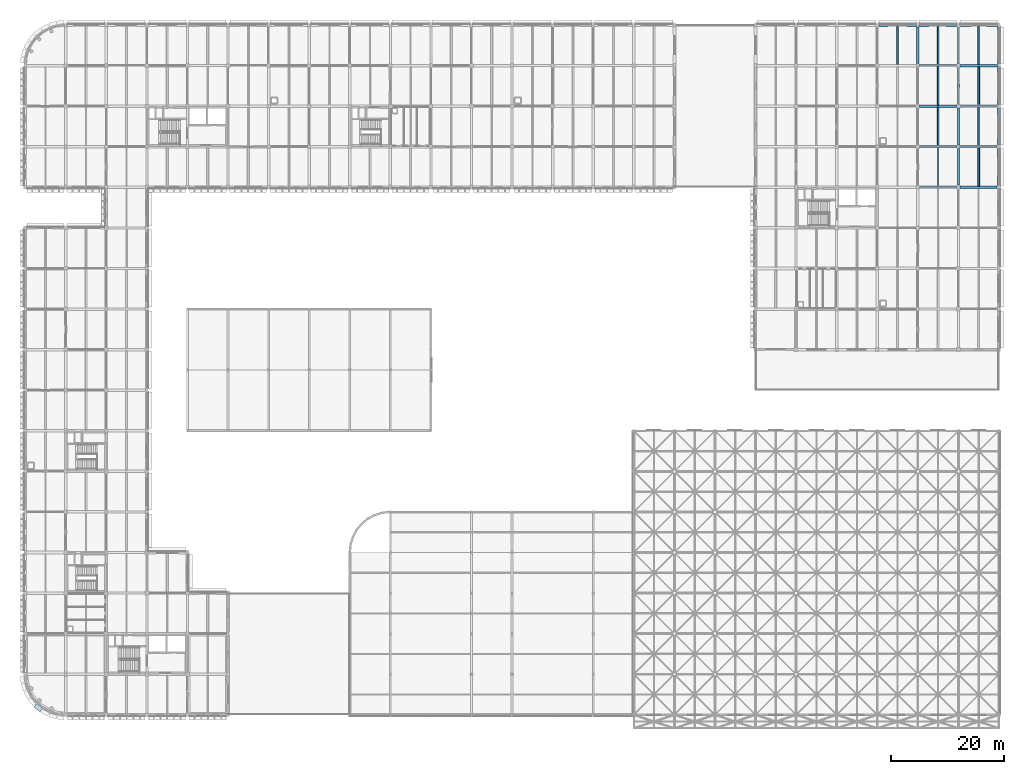
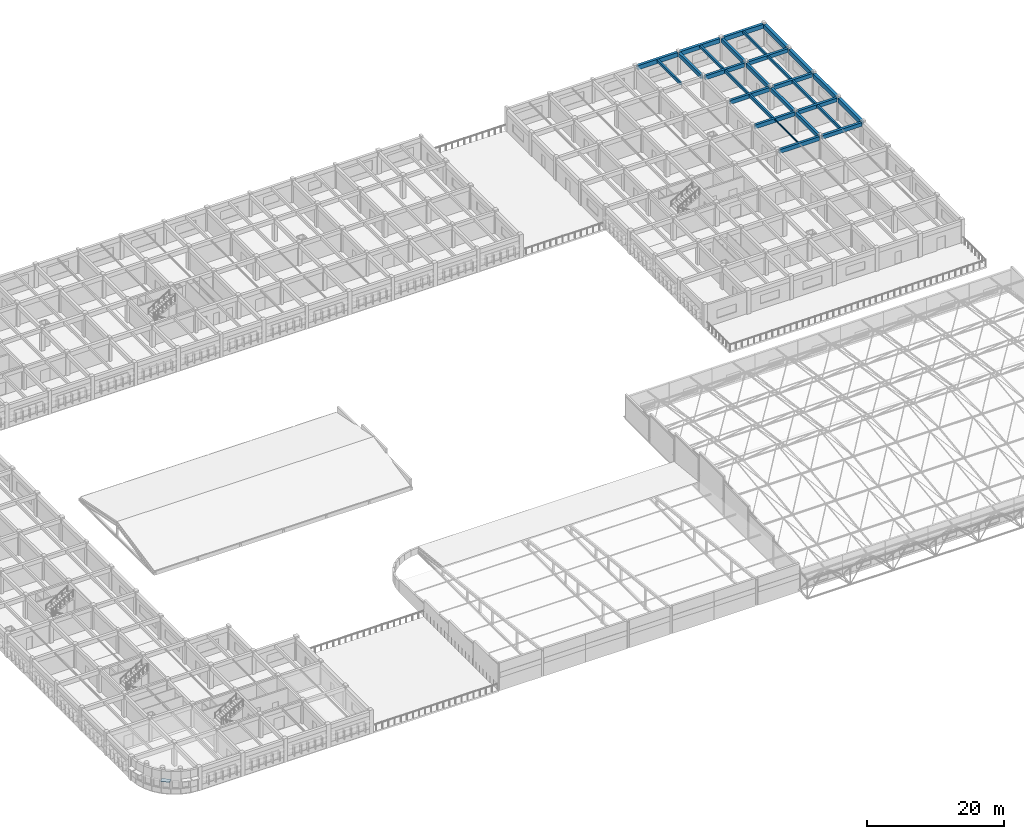
# One storey, part 65 of 103: 29 beams, 1 plate.
"""IFC4 building model written with IfcOpenShell, lengths in metres."""

from ifc_helpers import new_model, si_unit, direction, frame, origin, origin_2d, place, context, subcontext, project, spatial, rectangle, i_section, extrude, material, layer, layer_set, material_profile, profile_set, type_object, element, save


model = new_model("IFC4")

# Units and contexts
model_context = context("Model", 3, precision=1e-05, world=origin(), true_north=direction((0.0, 1.0)))
body_context = subcontext(model_context, "Body", "Model", "MODEL_VIEW")
ifc_project = project(units=[si_unit("LENGTHUNIT", "METRE"), si_unit("AREAUNIT", "SQUARE_METRE"), si_unit("VOLUMEUNIT", "CUBIC_METRE"), si_unit("PLANEANGLEUNIT", "RADIAN"), si_unit("MASSUNIT", "GRAM", prefix="KILO")], contexts=[model_context])

# Site, building, storey
site_placement = place(None, origin())
site = spatial("IfcSite", under=ifc_project, at=site_placement, CompositionType="ELEMENT")
building_placement = place(site_placement, origin())
building = spatial("IfcBuilding", under=site, at=building_placement, Name="Thalmaran Polytechnic", CompositionType="ELEMENT")
storey_placement = place(building_placement, frame((0.0, 0.0, 14.39990234375)))
storey = spatial("IfcBuildingStorey", under=building, at=storey_placement, Name="L03", CompositionType="ELEMENT", Elevation=14.39990234375)

# Beams
ifc_material_1 = material(Name="Concrete C40/50", Category="concrete")
ifc_material_profile_1 = material_profile(ifc_material_1, rectangle(XDim=0.39990234375, YDim=0.699951171875, at=origin_2d()), Name="RC 400x700")
ifc_profile_set_1 = profile_set([ifc_material_profile_1], Name="Concrete C40/50")
beam_type_1 = type_object("IfcBeamType", Name="BM-RC05", PredefinedType="BEAM", material=ifc_profile_set_1)
beam_1_placement = place(storey_placement, frame((158.72509765625, 93.60009765625, 3.590087890625), z_axis=(1.0, 0.0, 0.0), x_axis=(0.0, 1.0, 0.0)))
element("IfcBeam", 1, at=beam_1_placement, inside=storey, type_object=beam_type_1, Name="Grid Beam B05 L03 X(22,13)", PredefinedType="BEAM", context=body_context, shape_type="SweptSolid", body=[
    extrude(rectangle(XDim=0.39990234375, YDim=0.699951171875, at=origin_2d()), origin(), (0.0, 0.0, 1.0), 6.625),
])
beam_2_placement = place(storey_placement, frame((158.7099609375, 100.800048828125, 3.590087890625), z_axis=(1.0, 0.0, 0.0), x_axis=(0.0, 1.0, 0.0)))
element("IfcBeam", 2, at=beam_2_placement, inside=storey, type_object=beam_type_1, Name="Grid Beam B05 L03 X(22,14)", PredefinedType="BEAM", context=body_context, shape_type="SweptSolid", body=[
    extrude(rectangle(XDim=0.39990234375, YDim=0.699951171875, at=origin_2d()), origin(), (0.0, 0.0, 1.0), 6.679931640625),
])
beam_3_placement = place(storey_placement, frame((158.699951171875, 108.0, 3.590087890625), z_axis=(1.0, 0.0, 0.0), x_axis=(0.0, 1.0, 0.0)))
element("IfcBeam", 3, at=beam_3_placement, inside=storey, type_object=beam_type_1, Name="Grid Beam B05 L03 X(22,15)", PredefinedType="BEAM", context=body_context, shape_type="SweptSolid", body=[
    extrude(rectangle(XDim=0.39990234375, YDim=0.699951171875, at=origin_2d()), origin(), (0.0, 0.0, 1.0), 6.56005859375),
])
beam_4_placement = place(storey_placement, frame((158.64990234375, 115.199951171875, 3.590087890625), z_axis=(1.0, 0.0, 0.0), x_axis=(0.0, 1.0, 0.0)))
element("IfcBeam", 4, at=beam_4_placement, inside=storey, type_object=beam_type_1, Name="Grid Beam B05 L03 X(22,16)", PredefinedType="BEAM", context=body_context, shape_type="SweptSolid", body=[
    extrude(rectangle(XDim=0.39990234375, YDim=0.699951171875, at=origin_2d()), origin(), (0.0, 0.0, 1.0), 6.625),
])
ifc_material_profile_2 = material_profile(ifc_material_1, rectangle(XDim=0.389892578125, YDim=0.68994140625, at=origin_2d()), Name="RC 390x690")
ifc_profile_set_2 = profile_set([ifc_material_profile_2], Name="Concrete C40/50")
beam_type_2 = type_object("IfcBeamType", Name="BM-RC09", PredefinedType="BEAM", material=ifc_profile_set_2)
beam_5_placement = place(storey_placement, frame((165.60009765625, 101.1201171875, 3.59521484375), z_axis=(0.0, 1.0, 0.0), x_axis=(-1.0, 0.0, 0.0)))
element("IfcBeam", 5, at=beam_5_placement, inside=storey, type_object=beam_type_2, Name="Grid Beam B09 L03 Y(23,14)", PredefinedType="BEAM", context=body_context, shape_type="SweptSolid", body=[
    extrude(rectangle(XDim=0.389892578125, YDim=0.68994140625, at=origin_2d()), origin(), (0.0, 0.0, 1.0), 6.539794921875),
])
ifc_material_profile_3 = material_profile(ifc_material_1, rectangle(XDim=0.389892578125, YDim=0.695068359375, at=origin_2d()), Name="RC 390x695")
ifc_profile_set_3 = profile_set([ifc_material_profile_3], Name="Concrete C40/50")
beam_type_3 = type_object("IfcBeamType", Name="BM-RC10", PredefinedType="BEAM", material=ifc_profile_set_3)
beam_6_placement = place(storey_placement, frame((158.39990234375, 115.574951171875, 3.592529296875), z_axis=(0.0, 1.0, 0.0), x_axis=(-1.0, 0.0, 0.0)))
element("IfcBeam", 6, at=beam_6_placement, inside=storey, type_object=beam_type_3, Name="Grid Beam B10 L03 Y(22,16)", PredefinedType="BEAM", context=body_context, shape_type="SweptSolid", body=[
    extrude(rectangle(XDim=0.389892578125, YDim=0.695068359375, at=origin_2d()), origin(), (0.0, 0.0, 1.0), 6.505126953125),
])
beam_7_placement = place(storey_placement, frame((165.60009765625, 115.52490234375, 3.592529296875), z_axis=(0.0, 1.0, 0.0), x_axis=(-1.0, 0.0, 0.0)))
element("IfcBeam", 7, at=beam_7_placement, inside=storey, type_object=beam_type_3, Name="Grid Beam B10 L03 Y(23,16)", PredefinedType="BEAM", context=body_context, shape_type="SweptSolid", body=[
    extrude(rectangle(XDim=0.389892578125, YDim=0.695068359375, at=origin_2d()), origin(), (0.0, 0.0, 1.0), 6.565185546875),
])
ifc_material_profile_4 = material_profile(ifc_material_1, rectangle(XDim=0.300048828125, YDim=0.5, at=origin_2d()), Name="RC 300x500")
ifc_profile_set_4 = profile_set([ifc_material_profile_4], Name="Concrete C40/50")
beam_type_4 = type_object("IfcBeamType", Name="BM-RC11", PredefinedType="JOIST", material=ifc_profile_set_4)
beam_8_placement = place(storey_placement, frame((162.0, 101.0, 3.690185546875), z_axis=(0.0, 1.0, 0.0), x_axis=(-1.0, 0.0, 0.0)))
element("IfcBeam", 8, at=beam_8_placement, inside=storey, type_object=beam_type_4, Name="Secondary Floor Rib RB01 L03 (22,14)", PredefinedType="JOIST", context=body_context, shape_type="SweptSolid", body=[
    extrude(rectangle(XDim=0.300048828125, YDim=0.5, at=origin_2d()), origin(), (0.0, 0.0, 1.0), 6.800048828125),
])
beam_9_placement = place(storey_placement, frame((169.199951171875, 93.81005859375, 3.690185546875), z_axis=(0.0, 1.0, 0.0), x_axis=(-1.0, 0.0, 0.0)))
element("IfcBeam", 9, at=beam_9_placement, inside=storey, type_object=beam_type_4, Name="Secondary Floor Rib RB01 L03 (23,13)", PredefinedType="JOIST", context=body_context, shape_type="SweptSolid", body=[
    extrude(rectangle(XDim=0.300048828125, YDim=0.5, at=origin_2d()), origin(), (0.0, 0.0, 1.0), 6.780029296875),
])
ifc_material_profile_5 = material_profile(ifc_material_1, rectangle(XDim=0.300048828125, YDim=0.449951171875, at=origin_2d()), Name="RC 300x450")
ifc_profile_set_5 = profile_set([ifc_material_profile_5], Name="Concrete C40/50")
beam_type_5 = type_object("IfcBeamType", Name="BM-RC12", PredefinedType="JOIST", material=ifc_profile_set_5)
beam_10_placement = place(storey_placement, frame((162.0, 115.39990234375, 3.715087890625), z_axis=(0.0, 1.0, 0.0), x_axis=(-1.0, 0.0, 0.0)))
element("IfcBeam", 10, at=beam_10_placement, inside=storey, type_object=beam_type_5, Name="Secondary Floor Rib RB02 L03 (22,16)", PredefinedType="JOIST", context=body_context, shape_type="SweptSolid", body=[
    extrude(rectangle(XDim=0.300048828125, YDim=0.449951171875, at=origin_2d()), origin(), (0.0, 0.0, 1.0), 6.775146484375),
])
beam_11_placement = place(storey_placement, frame((169.199951171875, 108.2099609375, 3.715087890625), z_axis=(0.0, 1.0, 0.0), x_axis=(-1.0, 0.0, 0.0)))
element("IfcBeam", 11, at=beam_11_placement, inside=storey, type_object=beam_type_5, Name="Secondary Floor Rib RB02 L03 (23,15)", PredefinedType="JOIST", context=body_context, shape_type="SweptSolid", body=[
    extrude(rectangle(XDim=0.300048828125, YDim=0.449951171875, at=origin_2d()), origin(), (0.0, 0.0, 1.0), 6.780029296875),
])
ifc_material_2 = material(Name="Steel S355", Category="steel")
ifc_material_profile_6 = material_profile(ifc_material_2, i_section(OverallWidth=0.110107421875, OverallDepth=0.219970703125, WebThickness=0.005859375, FlangeThickness=0.00927734375, at=origin_2d()), Name="IPE 220")
ifc_profile_set_6 = profile_set([ifc_material_profile_6], Name="Steel S355")
beam_type_6 = type_object("IfcBeamType", Name="BM-SJ04", PredefinedType="JOIST", material=ifc_profile_set_6)
beam_12_placement = place(storey_placement, frame((162.0, 93.800048828125, 3.830078125), z_axis=(0.0, 1.0, 0.0), x_axis=(-1.0, 0.0, 0.0)))
element("IfcBeam", 12, at=beam_12_placement, inside=storey, type_object=beam_type_6, Name="Secondary Floor Rib SJ04 L03 (22,13)", PredefinedType="JOIST", context=body_context, shape_type="SweptSolid", body=[
    extrude(i_section(OverallWidth=0.110107421875, OverallDepth=0.219970703125, WebThickness=0.005859375, FlangeThickness=0.00927734375, at=origin_2d()), origin(), (0.0, 0.0, 1.0), 6.800048828125),
])
ifc_material_profile_7 = material_profile(ifc_material_1, rectangle(XDim=0.449951171875, YDim=0.7548828125, at=origin_2d()), Name="RC 450x755")
ifc_profile_set_7 = profile_set([ifc_material_profile_7], Name="Concrete C40/50")
beam_type_7 = type_object("IfcBeamType", Name="BM-SP02", PredefinedType="SPANDREL", material=ifc_profile_set_7)
for number, where, z_axis, x_axis, name in (
    (13, (151.510009765625, 122.39990234375, 3.5625), (1.0, 0.0, 0.0), (0.0, 1.0, 0.0), "Grid Beam SP02 L03 X(21,17)"),
    (14, (158.610107421875, 122.39990234375, 3.5625), (1.0, 0.0, 0.0), (0.0, 1.0, 0.0), "Grid Beam SP02 L03 X(22,17)"),
):
    element("IfcBeam", number, at=place(storey_placement, frame(where, z_axis=z_axis, x_axis=x_axis)), inside=storey, type_object=beam_type_7, Name=name, PredefinedType="SPANDREL", context=body_context, shape_type="SweptSolid", body=[
        extrude(rectangle(XDim=0.449951171875, YDim=0.7548828125, at=origin_2d()), origin(), (0.0, 0.0, 1.0), 6.679931640625),
    ])
beam_13_placement = place(storey_placement, frame((165.909912109375, 122.39990234375, 3.5625), z_axis=(1.0, 0.0, 0.0), x_axis=(0.0, 1.0, 0.0)))
element("IfcBeam", 15, at=beam_13_placement, inside=storey, type_object=beam_type_7, Name="Grid Beam SP02 L03 X(23,17)", PredefinedType="SPANDREL", context=body_context, shape_type="SweptSolid", body=[
    extrude(rectangle(XDim=0.449951171875, YDim=0.7548828125, at=origin_2d()), origin(), (0.0, 0.0, 1.0), 6.68017578125),
])
ifc_material_profile_8 = material_profile(ifc_material_1, rectangle(XDim=0.5, YDim=0.804931640625, at=origin_2d()), Name="RC 500x805")
ifc_profile_set_8 = profile_set([ifc_material_profile_8], Name="Concrete C40/50")
beam_type_8 = type_object("IfcBeamType", Name="BM-SP03", PredefinedType="SPANDREL", material=ifc_profile_set_8)
beam_14_placement = place(storey_placement, frame((172.800048828125, 93.925048828125, 3.53759765625), z_axis=(0.0, 1.0, 0.0), x_axis=(-1.0, 0.0, 0.0)))
element("IfcBeam", 16, at=beam_14_placement, inside=storey, type_object=beam_type_8, Name="Grid Beam SP03 L03 Y(24,13)", PredefinedType="SPANDREL", context=body_context, shape_type="SweptSolid", body=[
    extrude(rectangle(XDim=0.5, YDim=0.804931640625, at=origin_2d()), origin(), (0.0, 0.0, 1.0), 6.56494140625),
])
beam_15_placement = place(storey_placement, frame((172.800048828125, 101.110107421875, 3.53759765625), z_axis=(0.0, 1.0, 0.0), x_axis=(-1.0, 0.0, 0.0)))
element("IfcBeam", 17, at=beam_15_placement, inside=storey, type_object=beam_type_8, Name="Grid Beam SP03 L03 Y(24,14)", PredefinedType="SPANDREL", context=body_context, shape_type="SweptSolid", body=[
    extrude(rectangle(XDim=0.5, YDim=0.804931640625, at=origin_2d()), origin(), (0.0, 0.0, 1.0), 6.58984375),
])
beam_16_placement = place(storey_placement, frame((172.800048828125, 108.300048828125, 3.53759765625), z_axis=(0.0, 1.0, 0.0), x_axis=(-1.0, 0.0, 0.0)))
element("IfcBeam", 18, at=beam_16_placement, inside=storey, type_object=beam_type_8, Name="Grid Beam SP03 L03 Y(24,15)", PredefinedType="SPANDREL", context=body_context, shape_type="SweptSolid", body=[
    extrude(rectangle(XDim=0.5, YDim=0.804931640625, at=origin_2d()), origin(), (0.0, 0.0, 1.0), 6.52490234375),
])
beam_17_placement = place(storey_placement, frame((172.800048828125, 115.574951171875, 3.53759765625), z_axis=(0.0, 1.0, 0.0), x_axis=(-1.0, 0.0, 0.0)))
element("IfcBeam", 19, at=beam_17_placement, inside=storey, type_object=beam_type_8, Name="Grid Beam SP03 L03 Y(24,16)", PredefinedType="SPANDREL", context=body_context, shape_type="SweptSolid", body=[
    extrude(rectangle(XDim=0.5, YDim=0.804931640625, at=origin_2d()), origin(), (0.0, 0.0, 1.0), 6.505126953125),
])
ifc_material_profile_9 = material_profile(ifc_material_1, rectangle(XDim=0.419921875, YDim=0.659912109375, at=origin_2d()), Name="RC 420x660")
ifc_profile_set_9 = profile_set([ifc_material_profile_9], Name="Concrete C40/50")
beam_type_9 = type_object("IfcBeamType", Name="BM-ZB04", PredefinedType="BEAM", material=ifc_profile_set_9)
beam_18_placement = place(storey_placement, frame((165.85009765625, 93.60009765625, 3.610107421875), z_axis=(1.0, 0.0, 0.0), x_axis=(0.0, 1.0, 0.0)))
element("IfcBeam", 20, at=beam_18_placement, inside=storey, type_object=beam_type_9, Name="Grid Beam ZB04 L03 X(23,13)", PredefinedType="BEAM", context=body_context, shape_type="SweptSolid", body=[
    extrude(rectangle(XDim=0.419921875, YDim=0.659912109375, at=origin_2d()), origin(), (0.0, 0.0, 1.0), 6.625),
])
beam_19_placement = place(storey_placement, frame((165.81005859375, 100.800048828125, 3.610107421875), z_axis=(1.0, 0.0, 0.0), x_axis=(0.0, 1.0, 0.0)))
element("IfcBeam", 21, at=beam_19_placement, inside=storey, type_object=beam_type_9, Name="Grid Beam ZB04 L03 X(23,14)", PredefinedType="BEAM", context=body_context, shape_type="SweptSolid", body=[
    extrude(rectangle(XDim=0.419921875, YDim=0.659912109375, at=origin_2d()), origin(), (0.0, 0.0, 1.0), 6.679931640625),
])
beam_20_placement = place(storey_placement, frame((165.93994140625, 108.0, 3.610107421875), z_axis=(1.0, 0.0, 0.0), x_axis=(0.0, 1.0, 0.0)))
element("IfcBeam", 22, at=beam_20_placement, inside=storey, type_object=beam_type_9, Name="Grid Beam ZB04 L03 X(23,15)", PredefinedType="BEAM", context=body_context, shape_type="SweptSolid", body=[
    extrude(rectangle(XDim=0.419921875, YDim=0.659912109375, at=origin_2d()), origin(), (0.0, 0.0, 1.0), 6.56005859375),
])
beam_21_placement = place(storey_placement, frame((165.925048828125, 115.199951171875, 3.610107421875), z_axis=(1.0, 0.0, 0.0), x_axis=(0.0, 1.0, 0.0)))
element("IfcBeam", 23, at=beam_21_placement, inside=storey, type_object=beam_type_9, Name="Grid Beam ZB04 L03 X(23,16)", PredefinedType="BEAM", context=body_context, shape_type="SweptSolid", body=[
    extrude(rectangle(XDim=0.419921875, YDim=0.659912109375, at=origin_2d()), origin(), (0.0, 0.0, 1.0), 6.625),
])
ifc_material_profile_10 = material_profile(ifc_material_1, rectangle(XDim=0.39990234375, YDim=0.68505859375, at=origin_2d()), Name="RC 400x685")
ifc_profile_set_10 = profile_set([ifc_material_profile_10], Name="Concrete C40/50")
beam_type_10 = type_object("IfcBeamType", Name="BM-ZB07", PredefinedType="BEAM", material=ifc_profile_set_10)
beam_22_placement = place(storey_placement, frame((165.60009765625, 93.97509765625, 3.59765625), z_axis=(0.0, 1.0, 0.0), x_axis=(-1.0, 0.0, 0.0)))
element("IfcBeam", 24, at=beam_22_placement, inside=storey, type_object=beam_type_10, Name="Grid Beam ZB07 L03 Y(23,13)", PredefinedType="BEAM", context=body_context, shape_type="SweptSolid", body=[
    extrude(rectangle(XDim=0.39990234375, YDim=0.68505859375, at=origin_2d()), origin(), (0.0, 0.0, 1.0), 6.5048828125),
])
ifc_material_profile_11 = material_profile(ifc_material_1, rectangle(XDim=0.39990234375, YDim=0.695068359375, at=origin_2d()), Name="RC 400x695")
ifc_profile_set_11 = profile_set([ifc_material_profile_11], Name="Concrete C40/50")
beam_type_11 = type_object("IfcBeamType", Name="BM-ZB08", PredefinedType="BEAM", material=ifc_profile_set_11)
beam_23_placement = place(storey_placement, frame((165.60009765625, 108.340087890625, 3.592529296875), z_axis=(0.0, 1.0, 0.0), x_axis=(-1.0, 0.0, 0.0)))
element("IfcBeam", 25, at=beam_23_placement, inside=storey, type_object=beam_type_11, Name="Grid Beam ZB08 L03 Y(23,15)", PredefinedType="BEAM", context=body_context, shape_type="SweptSolid", body=[
    extrude(rectangle(XDim=0.39990234375, YDim=0.695068359375, at=origin_2d()), origin(), (0.0, 0.0, 1.0), 6.534912109375),
])
ifc_material_profile_12 = material_profile(ifc_material_1, rectangle(XDim=0.280029296875, YDim=0.47998046875, at=origin_2d()), Name="RC 280x480")
ifc_profile_set_12 = profile_set([ifc_material_profile_12], Name="Concrete C40/50")
beam_type_12 = type_object("IfcBeamType", Name="BM-ZJ01", PredefinedType="JOIST", material=ifc_profile_set_12)
beam_24_placement = place(storey_placement, frame((154.800048828125, 115.419921875, 3.7001953125), z_axis=(0.0, 1.0, 0.0), x_axis=(-1.0, 0.0, 0.0)))
element("IfcBeam", 26, at=beam_24_placement, inside=storey, type_object=beam_type_12, Name="Secondary Floor Rib ZJ01 L03 (21,16)", PredefinedType="JOIST", context=body_context, shape_type="SweptSolid", body=[
    extrude(rectangle(XDim=0.280029296875, YDim=0.47998046875, at=origin_2d()), origin(), (0.0, 0.0, 1.0), 6.755126953125),
])
beam_25_placement = place(storey_placement, frame((162.0, 108.199951171875, 3.7001953125), z_axis=(0.0, 1.0, 0.0), x_axis=(-1.0, 0.0, 0.0)))
element("IfcBeam", 27, at=beam_25_placement, inside=storey, type_object=beam_type_12, Name="Secondary Floor Rib ZJ01 L03 (22,15)", PredefinedType="JOIST", context=body_context, shape_type="SweptSolid", body=[
    extrude(rectangle(XDim=0.280029296875, YDim=0.47998046875, at=origin_2d()), origin(), (0.0, 0.0, 1.0), 6.800048828125),
])
beam_26_placement = place(storey_placement, frame((169.199951171875, 101.010009765625, 3.7001953125), z_axis=(0.0, 1.0, 0.0), x_axis=(-1.0, 0.0, 0.0)))
element("IfcBeam", 28, at=beam_26_placement, inside=storey, type_object=beam_type_12, Name="Secondary Floor Rib ZJ01 L03 (23,14)", PredefinedType="JOIST", context=body_context, shape_type="SweptSolid", body=[
    extrude(rectangle(XDim=0.280029296875, YDim=0.47998046875, at=origin_2d()), origin(), (0.0, 0.0, 1.0), 6.780029296875),
])
ifc_material_profile_13 = material_profile(ifc_material_1, rectangle(XDim=0.260009765625, YDim=0.43994140625, at=origin_2d()), Name="RC 260x440")
ifc_profile_set_13 = profile_set([ifc_material_profile_13], Name="Concrete C40/50")
beam_type_13 = type_object("IfcBeamType", Name="BM-ZJ02", PredefinedType="JOIST", material=ifc_profile_set_13)
beam_27_placement = place(storey_placement, frame((169.199951171875, 115.409912109375, 3.72021484375), z_axis=(0.0, 1.0, 0.0), x_axis=(-1.0, 0.0, 0.0)))
element("IfcBeam", 29, at=beam_27_placement, inside=storey, type_object=beam_type_13, Name="Secondary Floor Rib ZJ02 L03 (23,16)", PredefinedType="JOIST", context=body_context, shape_type="SweptSolid", body=[
    extrude(rectangle(XDim=0.260009765625, YDim=0.43994140625, at=origin_2d()), origin(), (0.0, 0.0, 1.0), 6.76513671875),
])

# Plate
ifc_material_3 = material(Name="Anodised aluminium sun-hood eyebrow", Category="aluminium")
ifc_layer = layer(ifc_material_3, 0.0849609375, Name="Anodised aluminium sun-hood eyebrow")
ifc_layer_set = layer_set([ifc_layer], Name="Anodised aluminium sun-hood eyebrow")
plate_type = type_object("IfcPlateType", Name="PT-EB01", PredefinedType="SHEET", material=ifc_layer_set)
plate_placement = place(storey_placement, frame((2.311767578125, 1.24365234375, 2.517578125), z_axis=(0.0, 0.0, 1.0), x_axis=(-0.773010453363, 0.634393284164, 0.0)))
element("IfcPlate", 30, at=plate_placement, inside=storey, type_object=plate_type, Name="Streamline Sun-Hood Eyebrow L03-111", PredefinedType="SHEET", context=body_context, shape_type="SweptSolid", body=[
    extrude(rectangle(XDim=1.371337890625, YDim=0.760009765625, at=origin_2d()), origin(), (0.0, 0.0, 1.0), 0.0849609375),
])

save(model, "model.ifc")
